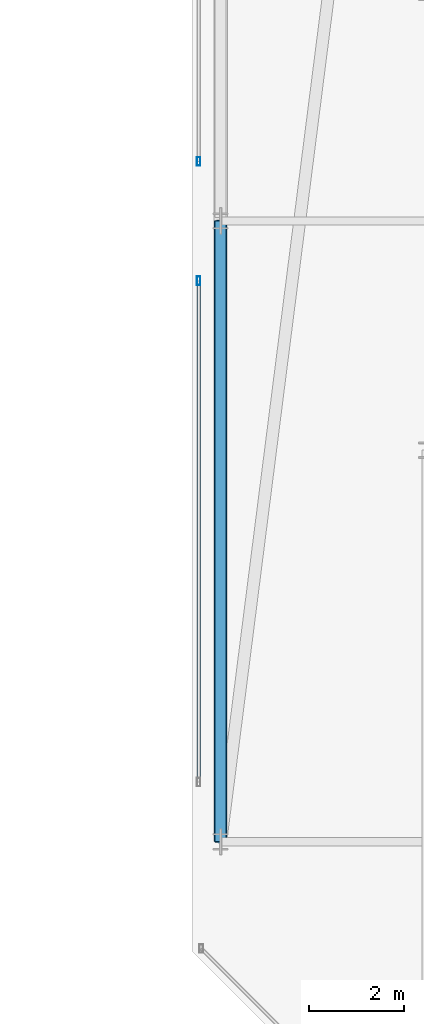
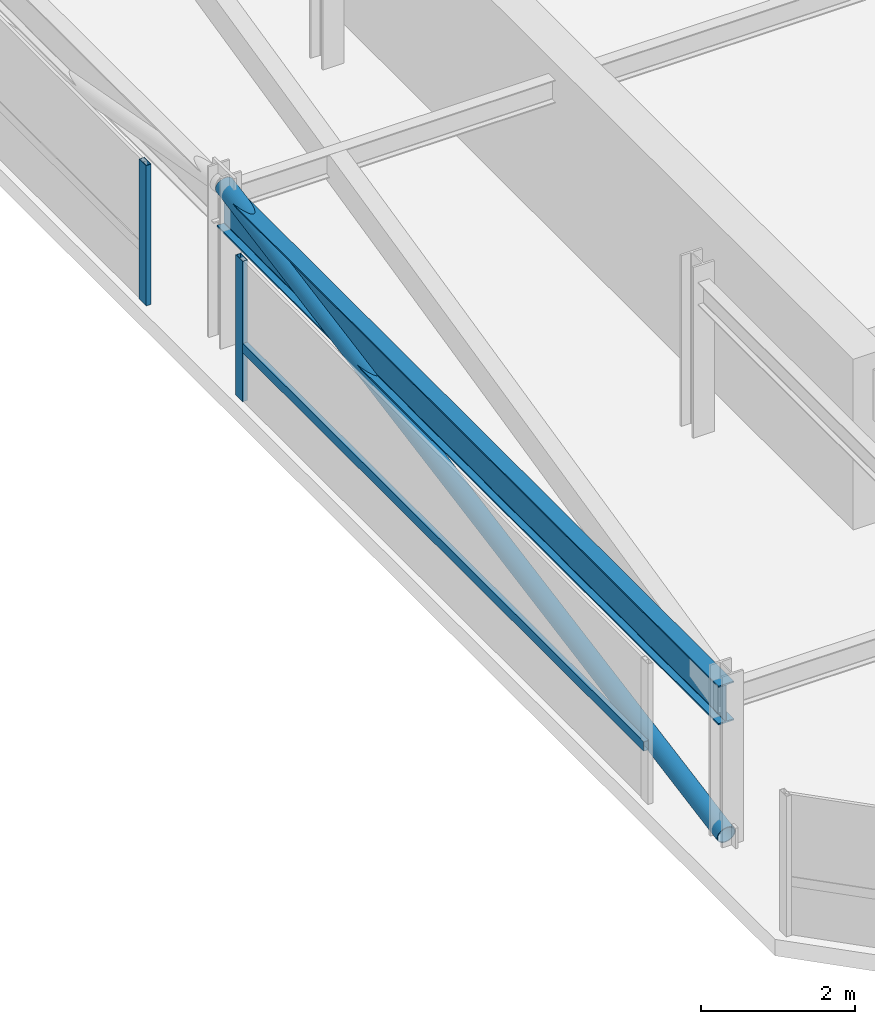
# One storey, part 20 of 42: 4 members, 1 beam, 2 elements without a shape of their own.
"""IFC4 building model written with IfcOpenShell, lengths in metres."""

from ifc_helpers import new_model, si_unit, direction, frame, origin, origin_2d, place, context, subcontext, project, spatial, hollow_rectangle, hollow_circle, i_section, extrude, material, material_profile, profile_set, type_object, element, aggregate, save


model = new_model("IFC4")

# Units and contexts
model_context = context("Model", 3, precision=1e-05, world=origin(), true_north=direction((0.0, 1.0)))
body_context = subcontext(model_context, "Body", "Model", "MODEL_VIEW")
ifc_project = project(units=[si_unit("LENGTHUNIT", "METRE"), si_unit("AREAUNIT", "SQUARE_METRE"), si_unit("VOLUMEUNIT", "CUBIC_METRE"), si_unit("PLANEANGLEUNIT", "RADIAN"), si_unit("MASSUNIT", "GRAM", prefix="KILO")], contexts=[model_context])

# Site, building, storey
site_placement = place(None, origin())
site = spatial("IfcSite", under=ifc_project, at=site_placement, CompositionType="ELEMENT")
building_placement = place(site_placement, origin())
building = spatial("IfcBuilding", under=site, at=building_placement, Name="Thornwick Lancets Civic Towers", CompositionType="ELEMENT")
storey_placement = place(building_placement, frame((0.0, 0.0, 286.800048828125)))
storey = spatial("IfcBuildingStorey", under=building, at=storey_placement, Name="C03", CompositionType="ELEMENT", Elevation=286.800048828125)

# Beam
ifc_material_1 = material(Name="Steel S355JR", Category="steel")
ifc_material_profile_1 = material_profile(ifc_material_1, i_section(OverallWidth=0.230224609375, OverallDepth=0.6171875, WebThickness=0.01318359375, FlangeThickness=0.022216796875, FilletRadius=0.0126953125, at=origin_2d()), Name="UKB 610x229x140")
ifc_profile_set_1 = profile_set([ifc_material_profile_1], Name="Steel S355JR")
beam_type = type_object("IfcBeamType", Name="BM_GIRD_610_140", PredefinedType="BEAM", material=ifc_profile_set_1)
beam_placement = place(storey_placement, frame((71.199951171875, 14.0, 2.13134765625), z_axis=(0.0, 1.0, 0.0), x_axis=(-1.0, 0.0, 0.0)))
element("IfcBeam", 1, at=beam_placement, inside=storey, type_object=beam_type, Name="BM-SPINE-C03-B-6-7", PredefinedType="BEAM", context=body_context, shape_type="SweptSolid", body=[
    extrude(i_section(OverallWidth=0.230224609375, OverallDepth=0.6171875, WebThickness=0.01318359375, FlangeThickness=0.022216796875, FilletRadius=0.0126953125, at=origin_2d()), origin(), (0.0, 0.0, 1.0), 13.0),
])

# Curtain wall, member
ifc_material_2 = material(Name="Crown ring acoustic-louvre and glazing screen wall", Category="glass")
curtain_wall_type = type_object("IfcCurtainWallType", Name="CW_SYS_07", PredefinedType="NOTDEFINED", material=ifc_material_2)
curtain_wall_1_placement = place(storey_placement, origin())
curtain_wall_1 = element("IfcCurtainWall", 2, at=curtain_wall_1_placement, inside=storey, type_object=curtain_wall_type, Name="C03 Curtain Wall CW-C03-B-E6-S2", PredefinedType="NOTDEFINED")
ifc_material_3 = material(Name="Thermally broken bronze aluminium S355", Category="steel")
ifc_material_profile_2 = material_profile(ifc_material_3, hollow_rectangle(XDim=0.074951171875, YDim=0.179931640625, WallThickness=0.006103515625, at=origin_2d()), Name="RHS 180x75x6")
ifc_profile_set_2 = profile_set([ifc_material_profile_2], Name="Thermally broken bronze aluminium S355")
member_type_1 = type_object("IfcMemberType", Name="CW_MUL_180", PredefinedType="MULLION", material=ifc_profile_set_2)
member_1_placement = place(storey_placement, frame((70.7353515625, 28.25, 0.0), z_axis=(0.0, 0.0, 1.0), x_axis=(1.0, 0.0, 0.0)))
member_1 = element("IfcMember", 3, at=member_1_placement, type_object=member_type_1, Name="CW-C03-B-E6-S2 Mullion 1", PredefinedType="MULLION", context=body_context, shape_type="SweptSolid", body=[
    extrude(hollow_rectangle(XDim=0.074951171875, YDim=0.179931640625, WallThickness=0.006103515625, at=origin_2d()), origin(), (0.0, 0.0, 1.0), 2.219970703125),
])
aggregate(curtain_wall_1, [member_1])

# Curtain wall, members
curtain_wall_2_placement = place(storey_placement, origin())
curtain_wall_2 = element("IfcCurtainWall", 4, at=curtain_wall_2_placement, inside=storey, type_object=curtain_wall_type, Name="C03 Curtain Wall CW-C03-B-E6-S3", PredefinedType="NOTDEFINED")
member_2_placement = place(storey_placement, frame((70.7353515625, 25.75, 0.0), z_axis=(0.0, 0.0, 1.0), x_axis=(1.0, 0.0, 0.0)))
member_2 = element("IfcMember", 5, at=member_2_placement, type_object=member_type_1, Name="CW-C03-B-E6-S3 Mullion 0", PredefinedType="MULLION", context=body_context, shape_type="SweptSolid", body=[
    extrude(hollow_rectangle(XDim=0.074951171875, YDim=0.179931640625, WallThickness=0.006103515625, at=origin_2d()), origin(), (0.0, 0.0, 1.0), 2.219970703125),
])
ifc_material_profile_3 = material_profile(ifc_material_3, hollow_rectangle(XDim=0.074951171875, YDim=0.14990234375, WallThickness=0.0048828125, at=origin_2d()), Name="RHS 150x75x5")
ifc_profile_set_3 = profile_set([ifc_material_profile_3], Name="Thermally broken bronze aluminium S355")
member_type_2 = type_object("IfcMemberType", Name="CW_TRN_150", PredefinedType="USERDEFINED", material=ifc_profile_set_3)
member_3_placement = place(storey_placement, frame((70.7353515625, 25.72998046875, 0.849853515625), z_axis=(0.0, -1.0, 0.0), x_axis=(1.0, 0.0, 0.0)))
member_3 = element("IfcMember", 6, at=member_3_placement, type_object=member_type_2, Name="CW-C03-B-E6-S3 Transom 0", ObjectType="TRANSOM", PredefinedType="USERDEFINED", context=body_context, shape_type="SweptSolid", body=[
    extrude(hollow_rectangle(XDim=0.074951171875, YDim=0.14990234375, WallThickness=0.0048828125, at=origin_2d()), origin(), (0.0, 0.0, 1.0), 10.4599609375),
])
aggregate(curtain_wall_2, [member_2, member_3])

# Member
ifc_material_profile_4 = material_profile(ifc_material_1, hollow_circle(Radius=0.136474609375, WallThickness=0.012451171875, at=origin_2d()), Name="CHS 273x12.5")
ifc_profile_set_4 = profile_set([ifc_material_profile_4], Name="Steel S355JR")
member_type_3 = type_object("IfcMemberType", Name="MEM_CROWN_CHS273", PredefinedType="BRACE", material=ifc_profile_set_4)
member_4_placement = place(storey_placement, frame((71.199951171875, 14.0, 0.050048828125), z_axis=(0.0, 0.98351842104, 0.180807951915), x_axis=(-1.0, 0.0, 0.0)))
element("IfcMember", 7, at=member_4_placement, inside=storey, type_object=member_type_3, Name="C03 Crown Ring Lancet Rib B-S2-L", PredefinedType="BRACE", context=body_context, shape_type="SweptSolid", body=[
    extrude(hollow_circle(Radius=0.136474609375, WallThickness=0.012451171875, at=origin_2d()), origin(), (0.0, 0.0, 1.0), 13.2177734375),
])

save(model, "model.ifc")
